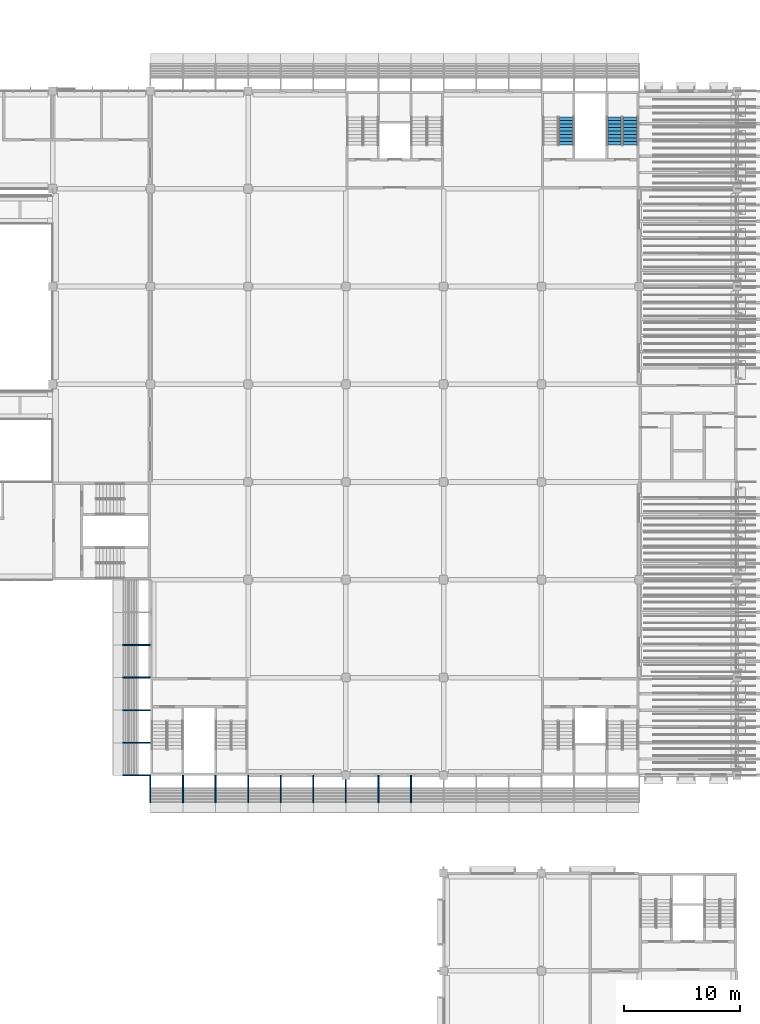
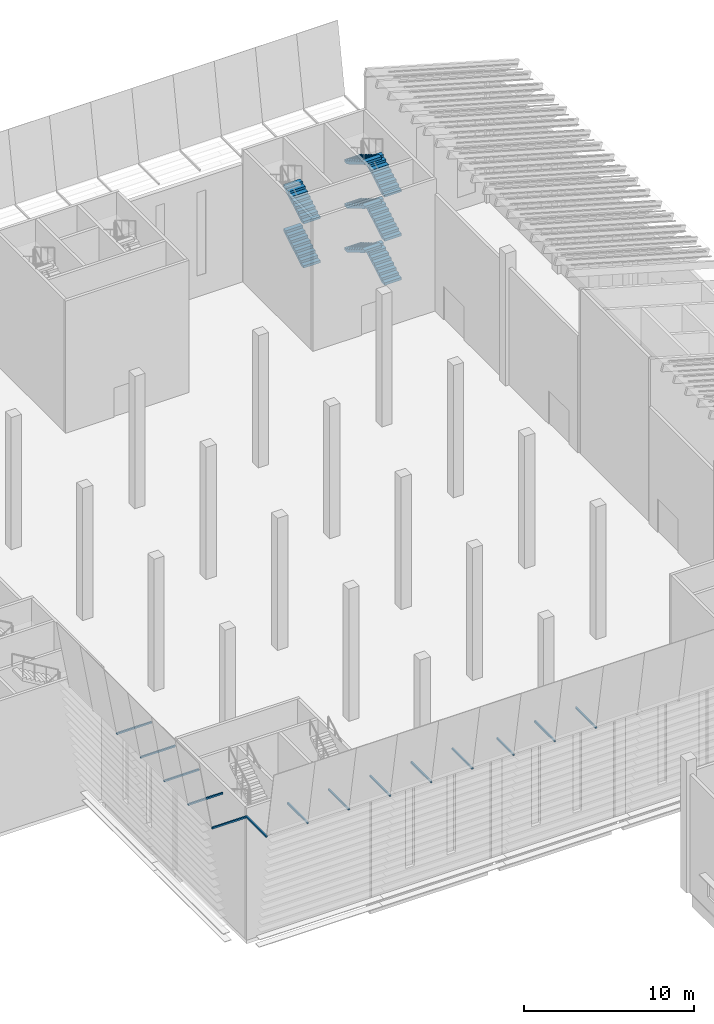
# One storey, part 59 of 114: 14 discrete accessories, 8 stair flights, 2 elements without a shape of their own.
"""IFC4 building model written with IfcOpenShell, lengths in metres."""

from ifc_helpers import new_model, si_unit, direction, frame, origin, origin_2d, place, context, subcontext, project, spatial, polyline, rectangle, outline, extrude, material, type_object, element, aggregate, save


model = new_model("IFC4")

# Units and contexts
model_context = context("Model", 3, precision=1e-05, world=origin(), true_north=direction((0.0, 1.0)))
body_context = subcontext(model_context, "Body", "Model", "MODEL_VIEW")
ifc_project = project(units=[si_unit("LENGTHUNIT", "METRE"), si_unit("AREAUNIT", "SQUARE_METRE"), si_unit("VOLUMEUNIT", "CUBIC_METRE"), si_unit("PLANEANGLEUNIT", "RADIAN"), si_unit("MASSUNIT", "GRAM", prefix="KILO")], contexts=[model_context])

# Site, building, storey
site_placement = place(None, origin())
site = spatial("IfcSite", under=ifc_project, at=site_placement, CompositionType="ELEMENT")
building_placement = place(site_placement, origin())
building = spatial("IfcBuilding", under=site, at=building_placement, Name="Almond Square Museum", CompositionType="ELEMENT")
storey_placement = place(building_placement, frame((0.0, 0.0, 10.5)))
storey = spatial("IfcBuildingStorey", under=building, at=storey_placement, Name="L02", CompositionType="ELEMENT", Elevation=10.5)

# Stair, stair flights
ifc_material_1 = material(Name="Concrete C40/50", Category="concrete")
stair_type = type_object("IfcStairType", Name="Exit stair 54 risers of 176 mm", PredefinedType="HALF_TURN_STAIR", material=ifc_material_1)
stair_1_placement = place(storey_placement, origin())
stair_1 = element("IfcStair", 1, at=stair_1_placement, inside=storey, type_object=stair_type, Name="L02 stair H3-1", PredefinedType="HALF_TURN_STAIR")
ifc_material_2 = material(Name="Concrete C40/50", Category="concrete")
stair_flight_type = type_object("IfcStairFlightType", Name="Concrete flight", PredefinedType="STRAIGHT", material=ifc_material_2)
stair_flight_1_placement = place(storey_placement, frame((142.52490234375, 104.550048828125, 3.166748046875), z_axis=(0.0, 0.0, 1.0), x_axis=(0.0, 1.0, 0.0)))
stair_flight_1 = element("IfcStairFlight", 2, at=stair_flight_1_placement, type_object=stair_flight_type, Name="ST-05 flight 3", NumberOfRisers=9, NumberOfTreads=8, PredefinedType="STRAIGHT", RiserHeight=0.175925926, TreadLength=0.3, context=body_context, shape_type="SweptSolid", body=[
    extrude(outline(polyline([(0.0, 0.0), (0.0, 0.176025390625), (0.300048828125, 0.176025390625), (0.300048828125, 0.351806640625), (0.60009765625, 0.351806640625), (0.60009765625, 0.52783203125), (0.89990234375, 0.52783203125), (0.89990234375, 0.70361328125), (1.199951171875, 0.70361328125), (1.199951171875, 0.879638671875), (1.5, 0.879638671875), (1.5, 1.0556640625), (1.800048828125, 1.0556640625), (1.800048828125, 1.2314453125), (2.10009765625, 1.2314453125), (2.10009765625, 1.407470703125), (2.39990234375, 1.407470703125), (2.39990234375, 1.583251953125), (2.39990234375, 1.233642578125), (0.29638671875, 0.0), (0.0, 0.0)])), frame((0.0, 0.574951171875, 0.0), z_axis=(0.0, -1.0, 0.0), x_axis=(1.0, 0.0, 0.0)), (0.0, 0.0, 1.0), 1.14990234375),
])
stair_flight_2_placement = place(storey_placement, frame((142.52490234375, 104.550048828125, 6.333251953125), z_axis=(0.0, 0.0, 1.0), x_axis=(0.0, 1.0, 0.0)))
stair_flight_2 = element("IfcStairFlight", 3, at=stair_flight_2_placement, type_object=stair_flight_type, Name="ST-05 flight 5", NumberOfRisers=9, NumberOfTreads=8, PredefinedType="STRAIGHT", RiserHeight=0.175925926, TreadLength=0.3, context=body_context, shape_type="SweptSolid", body=[
    extrude(outline(polyline([(0.0, 0.0), (0.0, 0.176025390625), (0.300048828125, 0.176025390625), (0.300048828125, 0.351806640625), (0.60009765625, 0.351806640625), (0.60009765625, 0.52783203125), (0.89990234375, 0.52783203125), (0.89990234375, 0.70361328125), (1.199951171875, 0.70361328125), (1.199951171875, 0.879638671875), (1.5, 0.879638671875), (1.5, 1.0556640625), (1.800048828125, 1.0556640625), (1.800048828125, 1.2314453125), (2.10009765625, 1.2314453125), (2.10009765625, 1.407470703125), (2.39990234375, 1.407470703125), (2.39990234375, 1.583251953125), (2.39990234375, 1.233642578125), (0.29638671875, 0.0), (0.0, 0.0)])), frame((0.0, 0.574951171875, 0.0), z_axis=(0.0, -1.0, 0.0), x_axis=(1.0, 0.0, 0.0)), (0.0, 0.0, 1.0), 1.14990234375),
])
aggregate(stair_1, [stair_flight_1, stair_flight_2])

stair_2_placement = place(storey_placement, origin())
stair_2 = element("IfcStair", 4, at=stair_2_placement, inside=storey, type_object=stair_type, Name="L02 stair H3-2", PredefinedType="HALF_TURN_STAIR")
stair_flight_3_placement = place(storey_placement, frame((148.02490234375, 104.550048828125, 0.0), z_axis=(0.0, 0.0, 1.0), x_axis=(0.0, 1.0, 0.0)))
stair_flight_3 = element("IfcStairFlight", 5, at=stair_flight_3_placement, type_object=stair_flight_type, Name="ST-06 flight 1", NumberOfRisers=9, NumberOfTreads=8, PredefinedType="STRAIGHT", RiserHeight=0.175925926, TreadLength=0.3, context=body_context, shape_type="SweptSolid", body=[
    extrude(outline(polyline([(0.0, 0.0), (0.0, 0.176025390625), (0.300048828125, 0.176025390625), (0.300048828125, 0.351806640625), (0.60009765625, 0.351806640625), (0.60009765625, 0.52783203125), (0.89990234375, 0.52783203125), (0.89990234375, 0.70361328125), (1.199951171875, 0.70361328125), (1.199951171875, 0.879638671875), (1.5, 0.879638671875), (1.5, 1.0556640625), (1.800048828125, 1.0556640625), (1.800048828125, 1.2314453125), (2.10009765625, 1.2314453125), (2.10009765625, 1.407470703125), (2.39990234375, 1.407470703125), (2.39990234375, 1.583251953125), (2.39990234375, 1.233642578125), (0.29638671875, 0.0), (0.0, 0.0)])), frame((0.0, 0.574951171875, 0.0), z_axis=(0.0, -1.0, 0.0), x_axis=(1.0, 0.0, 0.0)), (0.0, 0.0, 1.0), 1.14990234375),
])
stair_flight_4_placement = place(storey_placement, frame((146.675048828125, 106.949951171875, 1.583251953125), z_axis=(0.0, 0.0, 1.0), x_axis=(0.0, -1.0, 0.0)))
stair_flight_4 = element("IfcStairFlight", 6, at=stair_flight_4_placement, type_object=stair_flight_type, Name="ST-06 flight 2", NumberOfRisers=9, NumberOfTreads=8, PredefinedType="STRAIGHT", RiserHeight=0.175925926, TreadLength=0.3, context=body_context, shape_type="SweptSolid", body=[
    extrude(outline(polyline([(0.0, 0.0), (0.0, 0.176025390625), (0.300048828125, 0.176025390625), (0.300048828125, 0.351806640625), (0.60009765625, 0.351806640625), (0.60009765625, 0.52783203125), (0.89990234375, 0.52783203125), (0.89990234375, 0.70361328125), (1.199951171875, 0.70361328125), (1.199951171875, 0.879638671875), (1.5, 0.879638671875), (1.5, 1.0556640625), (1.800048828125, 1.0556640625), (1.800048828125, 1.2314453125), (2.10009765625, 1.2314453125), (2.10009765625, 1.407470703125), (2.39990234375, 1.407470703125), (2.39990234375, 1.583251953125), (2.39990234375, 1.233642578125), (0.29638671875, 0.0), (0.0, 0.0)])), frame((0.0, 0.574951171875, 0.0), z_axis=(0.0, -1.0, 0.0), x_axis=(1.0, 0.0, 0.0)), (0.0, 0.0, 1.0), 1.14990234375),
])
stair_flight_5_placement = place(storey_placement, frame((148.02490234375, 104.550048828125, 3.166748046875), z_axis=(0.0, 0.0, 1.0), x_axis=(0.0, 1.0, 0.0)))
stair_flight_5 = element("IfcStairFlight", 7, at=stair_flight_5_placement, type_object=stair_flight_type, Name="ST-06 flight 3", NumberOfRisers=9, NumberOfTreads=8, PredefinedType="STRAIGHT", RiserHeight=0.175925926, TreadLength=0.3, context=body_context, shape_type="SweptSolid", body=[
    extrude(outline(polyline([(0.0, 0.0), (0.0, 0.176025390625), (0.300048828125, 0.176025390625), (0.300048828125, 0.351806640625), (0.60009765625, 0.351806640625), (0.60009765625, 0.52783203125), (0.89990234375, 0.52783203125), (0.89990234375, 0.70361328125), (1.199951171875, 0.70361328125), (1.199951171875, 0.879638671875), (1.5, 0.879638671875), (1.5, 1.0556640625), (1.800048828125, 1.0556640625), (1.800048828125, 1.2314453125), (2.10009765625, 1.2314453125), (2.10009765625, 1.407470703125), (2.39990234375, 1.407470703125), (2.39990234375, 1.583251953125), (2.39990234375, 1.233642578125), (0.29638671875, 0.0), (0.0, 0.0)])), frame((0.0, 0.574951171875, 0.0), z_axis=(0.0, -1.0, 0.0), x_axis=(1.0, 0.0, 0.0)), (0.0, 0.0, 1.0), 1.14990234375),
])
stair_flight_6_placement = place(storey_placement, frame((146.675048828125, 106.949951171875, 4.75), z_axis=(0.0, 0.0, 1.0), x_axis=(0.0, -1.0, 0.0)))
stair_flight_6 = element("IfcStairFlight", 8, at=stair_flight_6_placement, type_object=stair_flight_type, Name="ST-06 flight 4", NumberOfRisers=9, NumberOfTreads=8, PredefinedType="STRAIGHT", RiserHeight=0.175925926, TreadLength=0.3, context=body_context, shape_type="SweptSolid", body=[
    extrude(outline(polyline([(0.0, 0.0), (0.0, 0.176025390625), (0.300048828125, 0.176025390625), (0.300048828125, 0.351806640625), (0.60009765625, 0.351806640625), (0.60009765625, 0.52783203125), (0.89990234375, 0.52783203125), (0.89990234375, 0.70361328125), (1.199951171875, 0.70361328125), (1.199951171875, 0.879638671875), (1.5, 0.879638671875), (1.5, 1.0556640625), (1.800048828125, 1.0556640625), (1.800048828125, 1.2314453125), (2.10009765625, 1.2314453125), (2.10009765625, 1.407470703125), (2.39990234375, 1.407470703125), (2.39990234375, 1.583251953125), (2.39990234375, 1.233642578125), (0.29638671875, 0.0), (0.0, 0.0)])), frame((0.0, 0.574951171875, 0.0), z_axis=(0.0, -1.0, 0.0), x_axis=(1.0, 0.0, 0.0)), (0.0, 0.0, 1.0), 1.14990234375),
])
stair_flight_7_placement = place(storey_placement, frame((148.02490234375, 104.550048828125, 6.333251953125), z_axis=(0.0, 0.0, 1.0), x_axis=(0.0, 1.0, 0.0)))
stair_flight_7 = element("IfcStairFlight", 9, at=stair_flight_7_placement, type_object=stair_flight_type, Name="ST-06 flight 5", NumberOfRisers=9, NumberOfTreads=8, PredefinedType="STRAIGHT", RiserHeight=0.175925926, TreadLength=0.3, context=body_context, shape_type="SweptSolid", body=[
    extrude(outline(polyline([(0.0, 0.0), (0.0, 0.176025390625), (0.300048828125, 0.176025390625), (0.300048828125, 0.351806640625), (0.60009765625, 0.351806640625), (0.60009765625, 0.52783203125), (0.89990234375, 0.52783203125), (0.89990234375, 0.70361328125), (1.199951171875, 0.70361328125), (1.199951171875, 0.879638671875), (1.5, 0.879638671875), (1.5, 1.0556640625), (1.800048828125, 1.0556640625), (1.800048828125, 1.2314453125), (2.10009765625, 1.2314453125), (2.10009765625, 1.407470703125), (2.39990234375, 1.407470703125), (2.39990234375, 1.583251953125), (2.39990234375, 1.233642578125), (0.29638671875, 0.0), (0.0, 0.0)])), frame((0.0, 0.574951171875, 0.0), z_axis=(0.0, -1.0, 0.0), x_axis=(1.0, 0.0, 0.0)), (0.0, 0.0, 1.0), 1.14990234375),
])
stair_flight_8_placement = place(storey_placement, frame((146.675048828125, 106.949951171875, 7.916748046875), z_axis=(0.0, 0.0, 1.0), x_axis=(0.0, -1.0, 0.0)))
stair_flight_8 = element("IfcStairFlight", 10, at=stair_flight_8_placement, type_object=stair_flight_type, Name="ST-06 flight 6", NumberOfRisers=9, NumberOfTreads=8, PredefinedType="STRAIGHT", RiserHeight=0.175925926, TreadLength=0.3, context=body_context, shape_type="SweptSolid", body=[
    extrude(outline(polyline([(0.0, 0.0), (0.0, 0.176025390625), (0.300048828125, 0.176025390625), (0.300048828125, 0.351806640625), (0.60009765625, 0.351806640625), (0.60009765625, 0.52783203125), (0.89990234375, 0.52783203125), (0.89990234375, 0.70361328125), (1.199951171875, 0.70361328125), (1.199951171875, 0.879638671875), (1.5, 0.879638671875), (1.5, 1.0556640625), (1.800048828125, 1.0556640625), (1.800048828125, 1.2314453125), (2.10009765625, 1.2314453125), (2.10009765625, 1.407470703125), (2.39990234375, 1.407470703125), (2.39990234375, 1.583251953125), (2.39990234375, 1.233642578125), (0.29638671875, 0.0), (0.0, 0.0)])), frame((0.0, 0.574951171875, 0.0), z_axis=(0.0, -1.0, 0.0), x_axis=(1.0, 0.0, 0.0)), (0.0, 0.0, 1.0), 1.14990234375),
])
aggregate(stair_2, [stair_flight_3, stair_flight_4, stair_flight_5, stair_flight_6, stair_flight_7, stair_flight_8])

# Discrete accessories
ifc_material_3 = material(Name="Stainless steel", Category="steel")
discrete_accessory_type = type_object("IfcDiscreteAccessoryType", Name="Louvre post bracket", PredefinedType="BRACKET", material=ifc_material_3)
for number, where, z_axis, x_axis, name in (
    (11, (106.800048828125, 49.21728515625, 8.83984375), (0.0, 0.0, 1.0), (1.0, 0.0, 0.0), "Bracket louvre post"),
    (12, (109.60009765625, 49.21728515625, 8.83984375), (0.0, 0.0, 1.0), (1.0, 0.0, 0.0), "Bracket louvre post"),
    (13, (112.39990234375, 49.21728515625, 8.83984375), (0.0, 0.0, 1.0), (1.0, 0.0, 0.0), "Bracket louvre post"),
    (14, (115.199951171875, 49.21728515625, 8.83984375), (0.0, 0.0, 1.0), (1.0, 0.0, 0.0), "Bracket louvre post"),
    (15, (118.0, 49.21728515625, 8.83984375), (0.0, 0.0, 1.0), (1.0, 0.0, 0.0), "Bracket louvre post"),
    (16, (120.800048828125, 49.21728515625, 8.83984375), (0.0, 0.0, 1.0), (1.0, 0.0, 0.0), "Bracket louvre post"),
):
    element("IfcDiscreteAccessory", number, at=place(storey_placement, frame(where, z_axis=z_axis, x_axis=x_axis)), inside=storey, type_object=discrete_accessory_type, Name=name, PredefinedType="BRACKET", context=body_context, shape_type="SweptSolid", body=[
        extrude(rectangle(XDim=0.10009765625, YDim=2.369384765625, at=origin_2d()), origin(), (0.0, 0.0, 1.0), 0.1201171875),
    ])
discrete_accessory_placement = place(storey_placement, frame((123.60009765625, 49.017333984375, 8.83984375), z_axis=(0.0, 0.0, 1.0), x_axis=(1.0, 0.0, 0.0)))
element("IfcDiscreteAccessory", 17, at=discrete_accessory_placement, inside=storey, type_object=discrete_accessory_type, Name="Bracket louvre post", PredefinedType="BRACKET", context=body_context, shape_type="SweptSolid", body=[
    extrude(rectangle(XDim=0.10009765625, YDim=1.969482421875, at=origin_2d()), origin(), (0.0, 0.0, 1.0), 0.1201171875),
])
for number, where, z_axis, x_axis, name in (
    (18, (126.39990234375, 49.21728515625, 8.83984375), (0.0, 0.0, 1.0), (1.0, 0.0, 0.0), "Bracket louvre post"),
    (19, (129.199951171875, 49.21728515625, 8.83984375), (0.0, 0.0, 1.0), (1.0, 0.0, 0.0), "Bracket louvre post"),
):
    element("IfcDiscreteAccessory", number, at=place(storey_placement, frame(where, z_axis=z_axis, x_axis=x_axis)), inside=storey, type_object=discrete_accessory_type, Name=name, PredefinedType="BRACKET", context=body_context, shape_type="SweptSolid", body=[
        extrude(rectangle(XDim=0.10009765625, YDim=2.369384765625, at=origin_2d()), origin(), (0.0, 0.0, 1.0), 0.1201171875),
    ])
for number, where, z_axis, x_axis, name in (
    (20, (105.6171875, 50.39990234375, 8.83984375), (0.0, 0.0, 1.0), (1.0, 0.0, 0.0), "Bracket louvre post"),
    (21, (105.6171875, 53.199951171875, 8.83984375), (0.0, 0.0, 1.0), (1.0, 0.0, 0.0), "Bracket louvre post"),
    (22, (105.6171875, 56.0, 8.83984375), (0.0, 0.0, 1.0), (1.0, 0.0, 0.0), "Bracket louvre post"),
    (23, (105.6171875, 58.800048828125, 8.83984375), (0.0, 0.0, 1.0), (1.0, 0.0, 0.0), "Bracket louvre post"),
    (24, (105.6171875, 61.60009765625, 8.83984375), (0.0, 0.0, 1.0), (1.0, 0.0, 0.0), "Bracket louvre post"),
):
    element("IfcDiscreteAccessory", number, at=place(storey_placement, frame(where, z_axis=z_axis, x_axis=x_axis)), inside=storey, type_object=discrete_accessory_type, Name=name, PredefinedType="BRACKET", context=body_context, shape_type="SweptSolid", body=[
        extrude(rectangle(XDim=2.369384765625, YDim=0.10009765625, at=origin_2d()), origin(), (0.0, 0.0, 1.0), 0.1201171875),
    ])

save(model, "model.ifc")
